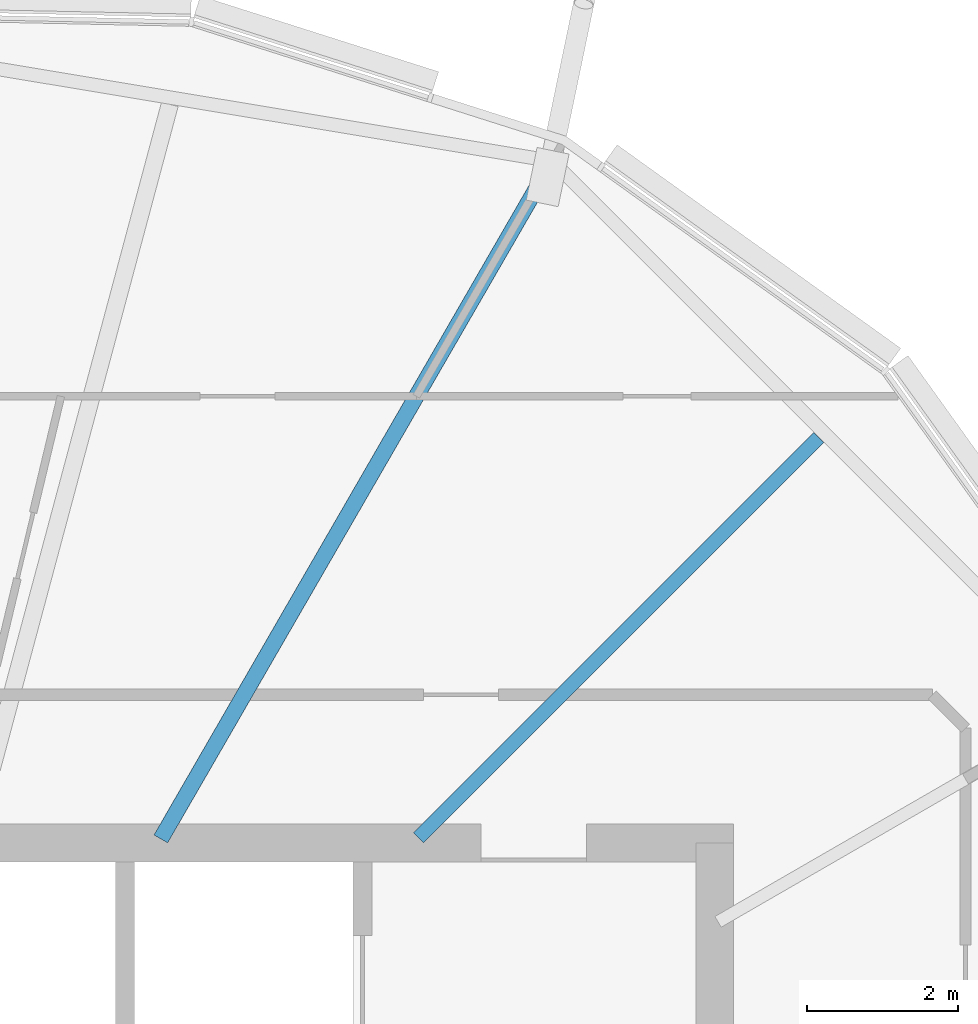
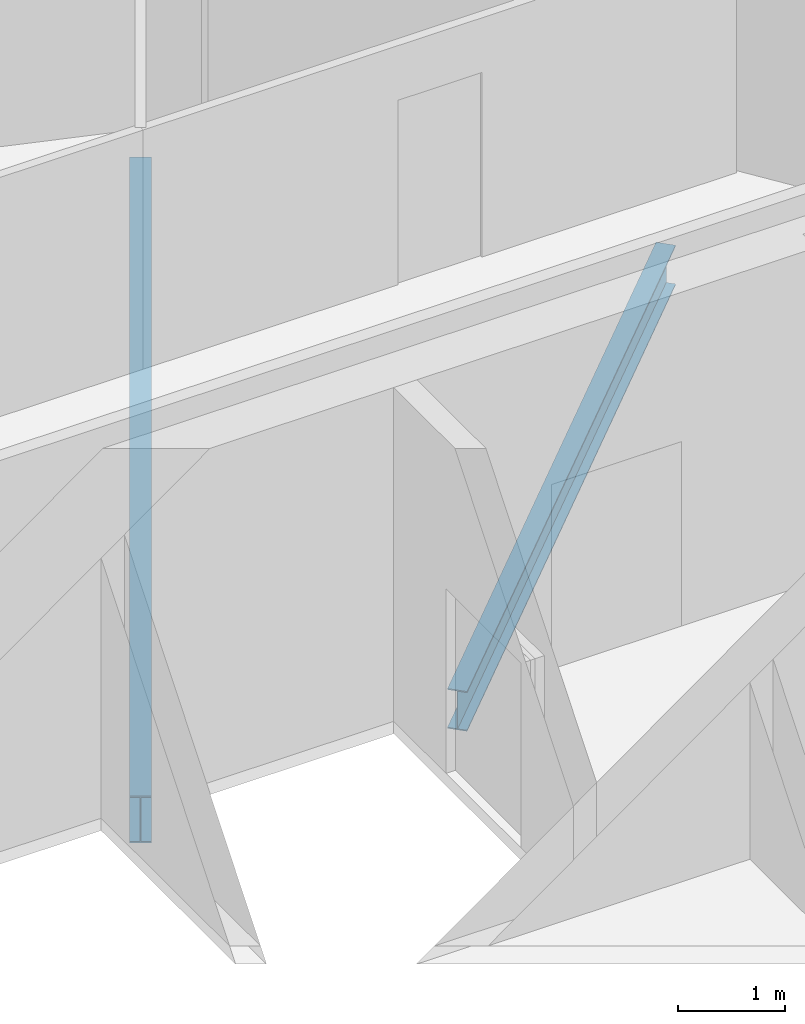
# One storey, part 12 of 36: 2 beams.
"""IFC4 building model written with IfcOpenShell, lengths in metres."""

from ifc_helpers import new_model, si_unit, direction, frame, origin, origin_2d, place, context, subcontext, project, spatial, i_section, extrude, material, material_profile, profile_set, type_object, element, save


model = new_model("IFC4")

# Units and contexts
model_context = context("Model", 3, precision=1e-05, world=origin(), true_north=direction((0.0, 1.0)))
body_context = subcontext(model_context, "Body", "Model", "MODEL_VIEW")
ifc_project = project(units=[si_unit("LENGTHUNIT", "METRE"), si_unit("AREAUNIT", "SQUARE_METRE"), si_unit("VOLUMEUNIT", "CUBIC_METRE"), si_unit("PLANEANGLEUNIT", "RADIAN"), si_unit("MASSUNIT", "GRAM", prefix="KILO")], contexts=[model_context])

# Site, building, storey
site_placement = place(None, origin())
site = spatial("IfcSite", under=ifc_project, at=site_placement, CompositionType="ELEMENT")
building_placement = place(site_placement, origin())
building = spatial("IfcBuilding", under=site, at=building_placement, Name="Rimbun Link Towers", CompositionType="ELEMENT")
storey_placement = place(building_placement, frame((0.0, 0.0, 248.5)))
storey = spatial("IfcBuildingStorey", under=building, at=storey_placement, Name="L61", CompositionType="ELEMENT", Elevation=248.5)

# Beams
ifc_material_1 = material(Name="Steel S355J2", Category="steel")
ifc_material_profile_1 = material_profile(ifc_material_1, i_section(OverallWidth=0.18994140625, OverallDepth=0.453369140625, WebThickness=0.008544921875, FlangeThickness=0.0126953125, at=origin_2d()), Name="UB 457x191x67")
ifc_profile_set_1 = profile_set([ifc_material_profile_1], Name="Steel S355J2")
beam_type_1 = type_object("IfcBeamType", Name="UB 457x191x67", PredefinedType="BEAM", material=ifc_profile_set_1)
beam_1_placement = place(storey_placement, frame((39.81787109375, 8.06787109375, -0.36669921875), z_axis=(0.707106781187, 0.707106781187, 0.0), x_axis=(-0.707106781187, 0.707106781187, 0.0)))
element("IfcBeam", 1, at=beam_1_placement, inside=storey, type_object=beam_type_1, Name="Radial beam T2 L61 00", PredefinedType="BEAM", context=body_context, shape_type="SweptSolid", body=[
    extrude(i_section(OverallWidth=0.18994140625, OverallDepth=0.453369140625, WebThickness=0.008544921875, FlangeThickness=0.0126953125, at=origin_2d()), origin(), (0.0, 0.0, 1.0), 7.51220703125),
])
ifc_material_2 = material(Name="Steel S355J2", Category="steel")
ifc_material_profile_2 = material_profile(ifc_material_2, i_section(OverallWidth=0.209228515625, OverallDepth=0.533203125, WebThickness=0.010009765625, FlangeThickness=0.015625, at=origin_2d()), Name="UB 533x210x92")
ifc_profile_set_2 = profile_set([ifc_material_profile_2], Name="Steel S355J2")
beam_type_2 = type_object("IfcBeamType", Name="UB 533x210x92", PredefinedType="BEAM", material=ifc_profile_set_2)
beam_2_placement = place(storey_placement, frame((36.3994140625, 8.05322265625, -0.406494140625), z_axis=(0.50000806818, 0.866020745569, 0.0), x_axis=(-0.866020745569, 0.50000806818, 0.0)))
element("IfcBeam", 2, at=beam_2_placement, inside=storey, type_object=beam_type_2, Name="Radial beam T2 L61 01", PredefinedType="BEAM", context=body_context, shape_type="SweptSolid", body=[
    extrude(i_section(OverallWidth=0.209228515625, OverallDepth=0.533203125, WebThickness=0.010009765625, FlangeThickness=0.015625, at=origin_2d()), origin(), (0.0, 0.0, 1.0), 10.383544921875),
])

save(model, "model.ifc")
